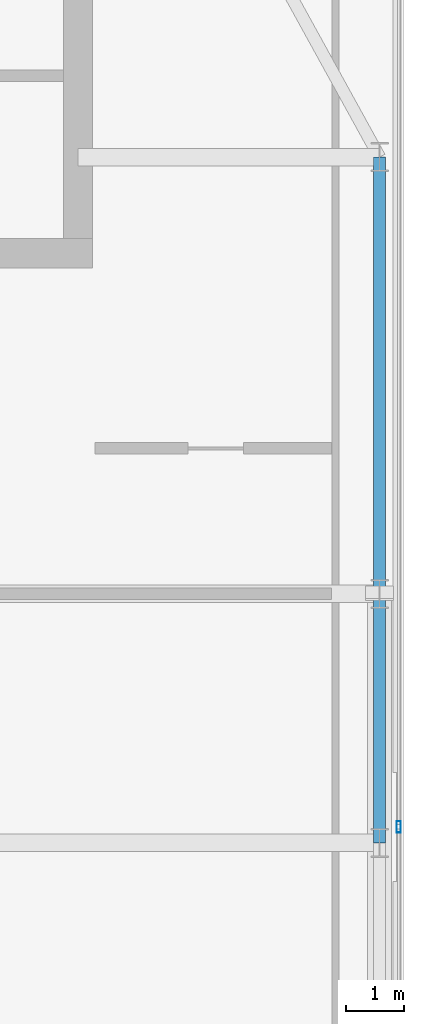
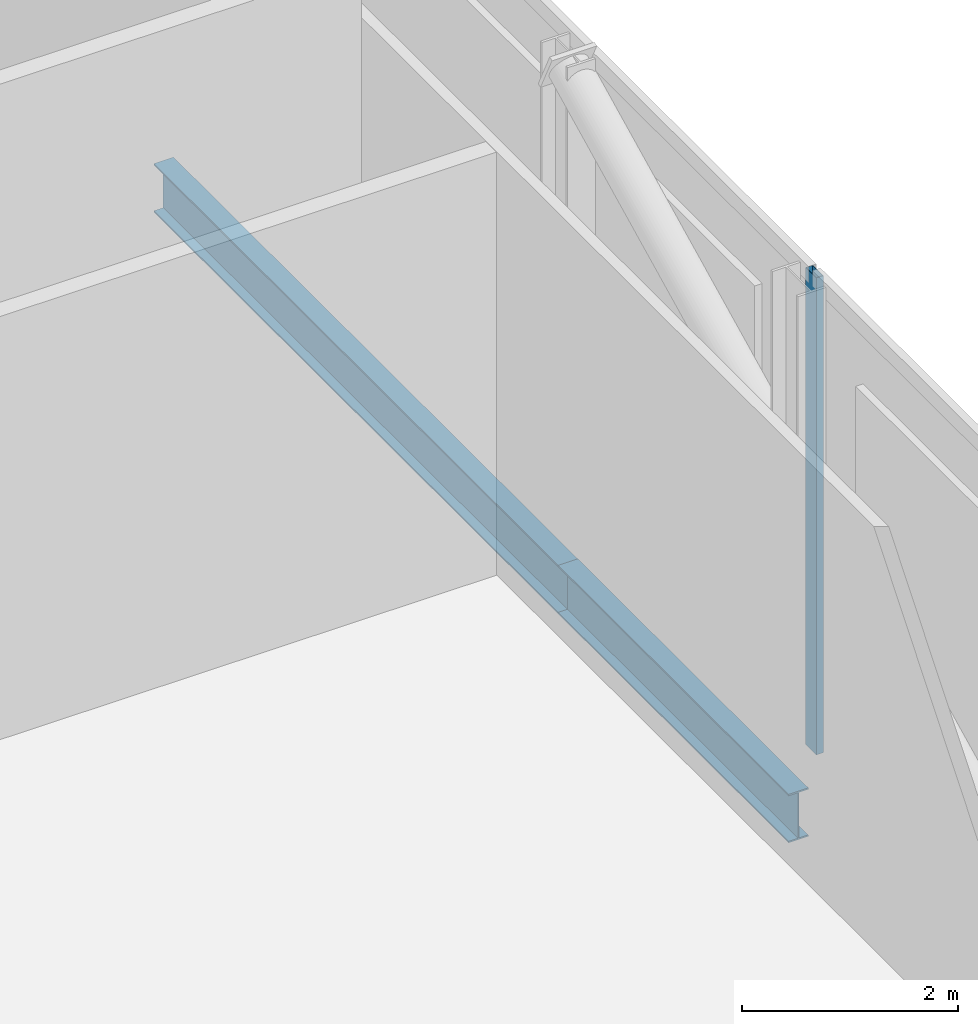
# One storey, part 14 of 22: 2 beams, 1 member, 1 element without a shape of its own.
"""IFC4 building model written with IfcOpenShell, lengths in metres."""

from ifc_helpers import new_model, si_unit, direction, frame, origin, origin_2d, place, context, subcontext, project, spatial, hollow_rectangle, i_section, extrude, material, material_profile, profile_set, type_object, element, aggregate, save


model = new_model("IFC4")

# Units and contexts
model_context = context("Model", 3, precision=1e-05, world=origin(), true_north=direction((0.0, 1.0)))
body_context = subcontext(model_context, "Body", "Model", "MODEL_VIEW")
ifc_project = project(units=[si_unit("LENGTHUNIT", "METRE"), si_unit("AREAUNIT", "SQUARE_METRE"), si_unit("VOLUMEUNIT", "CUBIC_METRE"), si_unit("PLANEANGLEUNIT", "RADIAN"), si_unit("MASSUNIT", "GRAM", prefix="KILO")], contexts=[model_context])

# Site, building, storey
site_placement = place(None, origin())
site = spatial("IfcSite", under=ifc_project, at=site_placement, CompositionType="ELEMENT")
building_placement = place(site_placement, origin())
building = spatial("IfcBuilding", under=site, at=building_placement, Name="Khoronbel Lancet Exchange", CompositionType="ELEMENT")
storey_placement = place(building_placement, frame((0.0, 0.0, 373.0)))
storey = spatial("IfcBuildingStorey", under=building, at=storey_placement, Name="L95", CompositionType="ELEMENT", Elevation=373.0)

# Beams
ifc_material_1 = material(Name="Steel S355", Category="steel")
ifc_material_profile_1 = material_profile(ifc_material_1, i_section(OverallWidth=0.2099609375, OverallDepth=0.550048828125, WebThickness=0.010986328125, FlangeThickness=0.01708984375, at=origin_2d()), Name="IPE 550")
ifc_profile_set_1 = profile_set([ifc_material_profile_1], Name="Steel S355")
beam_type = type_object("IfcBeamType", Name="BM-BSP3", PredefinedType="SPANDREL", material=ifc_profile_set_1)
beam_1_placement = place(storey_placement, frame((61.6298828125, 31.425048828125, -0.47509765625), z_axis=(0.0, 1.0, 0.0), x_axis=(-1.0, 0.0, 0.0)))
element("IfcBeam", 1, at=beam_1_placement, inside=storey, type_object=beam_type, Name="Level L95 perimeter spandrel beam SP11", PredefinedType="SPANDREL", context=body_context, shape_type="SweptSolid", body=[
    extrude(i_section(OverallWidth=0.2099609375, OverallDepth=0.550048828125, WebThickness=0.010986328125, FlangeThickness=0.01708984375, at=origin_2d()), origin(), (0.0, 0.0, 1.0), 4.27490234375),
])
beam_2_placement = place(storey_placement, frame((61.6298828125, 35.699951171875, -0.47509765625), z_axis=(0.0, 1.0, 0.0), x_axis=(-1.0, 0.0, 0.0)))
element("IfcBeam", 2, at=beam_2_placement, inside=storey, type_object=beam_type, Name="Level L95 perimeter spandrel beam SP12", PredefinedType="SPANDREL", context=body_context, shape_type="SweptSolid", body=[
    extrude(i_section(OverallWidth=0.2099609375, OverallDepth=0.550048828125, WebThickness=0.010986328125, FlangeThickness=0.01708984375, at=origin_2d()), origin(), (0.0, 0.0, 1.0), 7.5),
])

# Curtain wall, member
ifc_material_2 = material(Name="Low-E Solar Control Insulating Glass", Category="glass")
curtain_wall_type = type_object("IfcCurtainWallType", Name="CW-6", PredefinedType="NOTDEFINED", material=ifc_material_2)
curtain_wall_placement = place(storey_placement, origin())
curtain_wall = element("IfcCurtainWall", 3, at=curtain_wall_placement, inside=storey, type_object=curtain_wall_type, Name="Unitised curtain wall CW-L95-E09", PredefinedType="NOTDEFINED")
ifc_material_3 = material(Name="Bronze-Anodised Aluminium 6063-T6", Category="aluminium")
ifc_material_profile_2 = material_profile(ifc_material_3, hollow_rectangle(XDim=0.074951171875, YDim=0.199951171875, WallThickness=0.0048828125, at=origin_2d()), Name="ALU MULLION 75x200")
ifc_profile_set_2 = profile_set([ifc_material_profile_2], Name="Bronze-Anodised Aluminium 6063-T6")
member_type = type_object("IfcMemberType", Name="MEM-CWM2", PredefinedType="MULLION", material=ifc_profile_set_2)
member_placement = place(storey_placement, frame((61.9599609375, 31.699951171875, 0.0), z_axis=(0.0, 0.0, 1.0), x_axis=(1.0, 0.0, 0.0)))
member = element("IfcMember", 4, at=member_placement, type_object=member_type, Name="CW6 mullion 2", PredefinedType="MULLION", context=body_context, shape_type="SweptSolid", body=[
    extrude(hollow_rectangle(XDim=0.074951171875, YDim=0.199951171875, WallThickness=0.0048828125, at=origin_2d()), origin(), (0.0, 0.0, 1.0), 5.39990234375),
])
aggregate(curtain_wall, [member])

save(model, "model.ifc")
